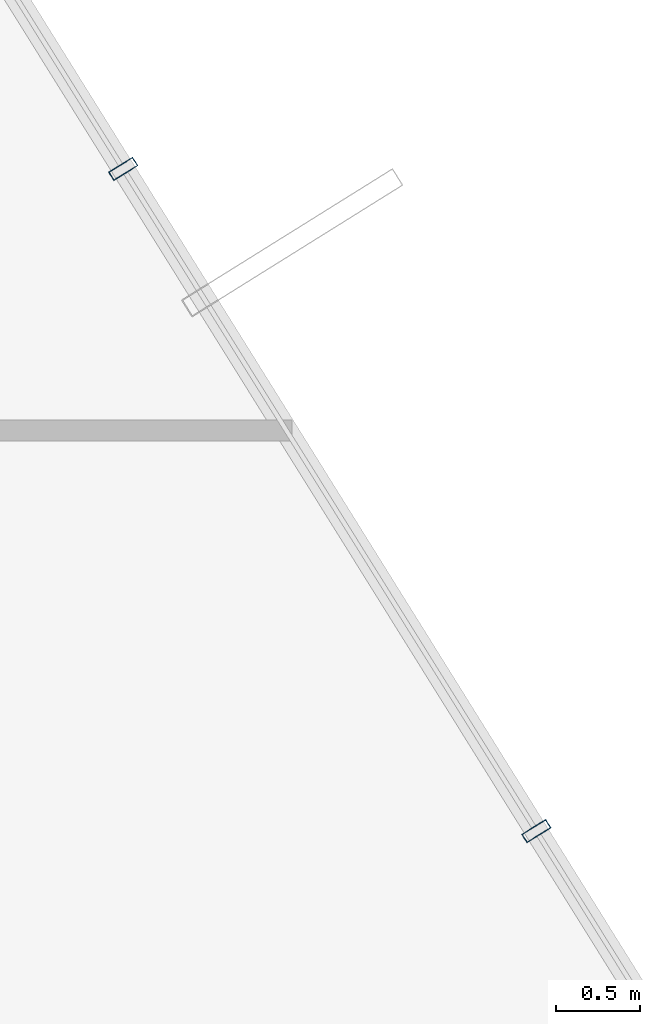
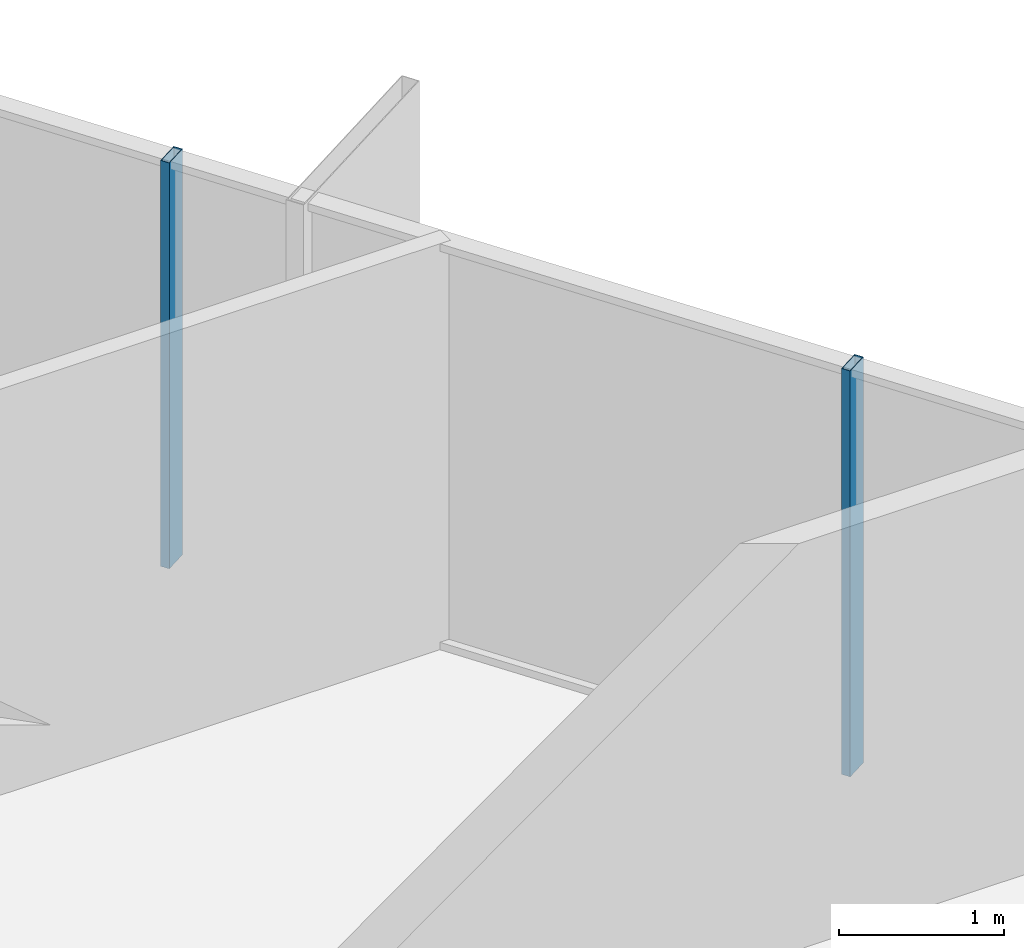
# One storey, part 31 of 39: 2 members, 1 element without a shape of its own.
"""IFC4 building model written with IfcOpenShell, lengths in metres."""

from ifc_helpers import new_model, si_unit, direction, frame, origin, origin_2d, place, context, subcontext, project, spatial, hollow_rectangle, extrude, source, transform, mapped, material, layer, layer_set, material_profile, profile_set, type_object, element, aggregate, save


model = new_model("IFC4")

# Units and contexts
model_context = context("Model", 3, precision=1e-05, world=origin(), true_north=direction((0.0, 1.0)))
body_context = subcontext(model_context, "Body", "Model", "MODEL_VIEW")
ifc_project = project(units=[si_unit("LENGTHUNIT", "METRE"), si_unit("AREAUNIT", "SQUARE_METRE"), si_unit("VOLUMEUNIT", "CUBIC_METRE"), si_unit("PLANEANGLEUNIT", "RADIAN"), si_unit("MASSUNIT", "GRAM", prefix="KILO")], contexts=[model_context])

# Site, building, storey
site_placement = place(None, origin())
site = spatial("IfcSite", under=ifc_project, at=site_placement, CompositionType="ELEMENT")
building_placement = place(site_placement, origin())
building = spatial("IfcBuilding", under=site, at=building_placement, Name="Veraguas Prism Commons", CompositionType="ELEMENT")
storey_placement = place(building_placement, frame((0.0, 0.0, 30.550048828125)))
storey = spatial("IfcBuildingStorey", under=building, at=storey_placement, Name="L07", CompositionType="ELEMENT", Elevation=30.550048828125)

# Curtain wall, members
ifc_material = material(Name="Anodised aluminium EN AW-6063 T6", Category="aluminium")
ifc_layer = layer(ifc_material, 0.169921875, Name="Unitised Flush Curtain Wall Zone 1", Category="aluminium")
ifc_layer_set = layer_set([ifc_layer], Name="Anodised aluminium EN AW-6063 T6")
curtain_wall_type = type_object("IfcCurtainWallType", Name="Unitised Flush Curtain Wall Zone 1", PredefinedType="NOTDEFINED", material=ifc_layer_set)
curtain_wall_placement = place(storey_placement, origin())
curtain_wall = element("IfcCurtainWall", 1, at=curtain_wall_placement, inside=storey, type_object=curtain_wall_type, Name="Tower Facade Curtain Wall L07-F1", PredefinedType="NOTDEFINED")
ifc_material_profile = material_profile(ifc_material, hollow_rectangle(XDim=0.06005859375, YDim=0.169921875, WallThickness=0.00390625, at=origin_2d()), Name="AL60X170X4")
ifc_profile_set = profile_set([ifc_material_profile], Name="Anodised aluminium EN AW-6063 T6")
member_type = type_object("IfcMemberType", Name="Curtain Wall Mullion Lower AL 60x170x4", PredefinedType="MULLION", material=ifc_profile_set)
shared_shape = source(origin(), body_context, "Body", "SweptSolid", [
    extrude(hollow_rectangle(XDim=0.06005859375, YDim=0.169921875, WallThickness=0.00390625, at=origin_2d()), origin(), (0.0, 0.0, 1.0), 3.0),
])
member_1_placement = place(storey_placement, frame((41.634033203125, 35.001953125, 0.0), z_axis=(0.0, 0.0, 1.0), x_axis=(-0.529324124343, 0.848419690594, 0.0)))
member_1 = element("IfcMember", 2, at=member_1_placement, type_object=member_type, Name="CW-Z1 Mullion 3", PredefinedType="MULLION", context=body_context, shape_type="MappedRepresentation", body=[
    mapped(shared_shape, transform((0.0, 0.0, 0.0), scale=1.0)),
])
member_2_placement = place(storey_placement, frame((39.16162109375, 38.96484375, 0.0), z_axis=(0.0, 0.0, 1.0), x_axis=(-0.529324124343, 0.848419690594, 0.0)))
member_2 = element("IfcMember", 3, at=member_2_placement, type_object=member_type, Name="CW-Z1 Mullion 4", PredefinedType="MULLION", context=body_context, shape_type="MappedRepresentation", body=[
    mapped(shared_shape, transform((0.0, 0.0, 0.0), scale=1.0)),
])
aggregate(curtain_wall, [member_1, member_2])

save(model, "model.ifc")
